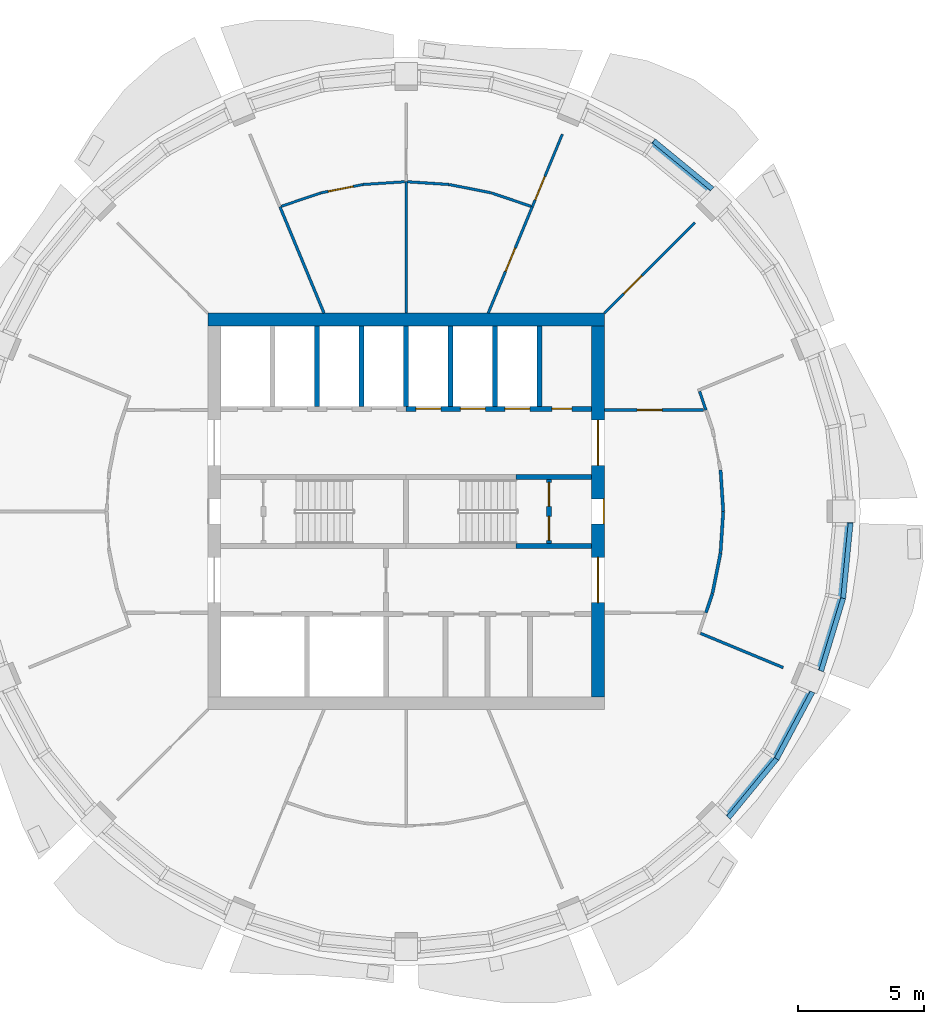
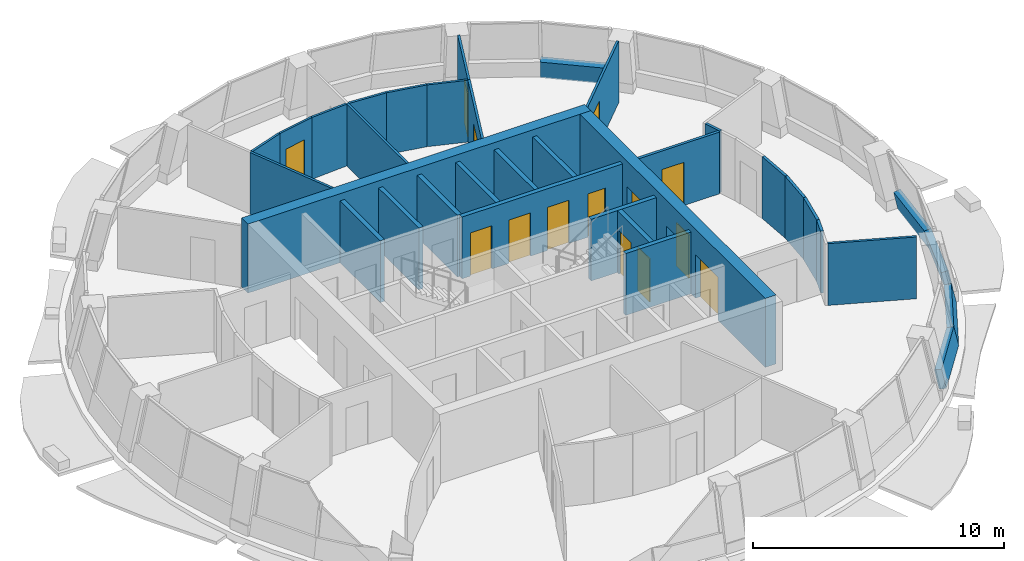
# One storey, part 6 of 11: 35 walls, 14 doors, 14 openings.
"""IFC4 building model written with IfcOpenShell, lengths in metres."""

from ifc_helpers import new_model, si_unit, direction, frame, frame_2d, origin, place, context, subcontext, project, spatial, polyline, rectangle, outline, extrude, material, layer, layer_set, type_object, element, fill, save


model = new_model("IFC4")

# Units and contexts
model_context = context("Model", 3, precision=1e-05, world=origin(), true_north=direction((0.0, 1.0)))
body_context = subcontext(model_context, "Body", "Model", "MODEL_VIEW")
ifc_project = project(units=[si_unit("LENGTHUNIT", "METRE"), si_unit("AREAUNIT", "SQUARE_METRE"), si_unit("VOLUMEUNIT", "CUBIC_METRE"), si_unit("PLANEANGLEUNIT", "RADIAN"), si_unit("MASSUNIT", "GRAM", prefix="KILO")], contexts=[model_context])

# Site, building, storey
site_placement = place(None, origin())
site = spatial("IfcSite", under=ifc_project, at=site_placement, CompositionType="ELEMENT")
building_placement = place(site_placement, origin())
building = spatial("IfcBuilding", under=site, at=building_placement, Name="Polderwave Tower", CompositionType="ELEMENT")
storey_placement = place(building_placement, frame((0.0, 0.0, 194.35009765625)))
storey = spatial("IfcBuildingStorey", under=building, at=storey_placement, Name="L52", CompositionType="ELEMENT", Elevation=194.35009765625)

# Wall
ifc_material_1 = material(Name="Concrete C60/75", Category="concrete")
ifc_layer_1 = layer(ifc_material_1, 0.5)
ifc_layer_set_1 = layer_set([ifc_layer_1], Name="CORE WALL 500 C60/75")
wall_type_1 = type_object("IfcWallType", Name="CORE WALL 500 C60/75", PredefinedType="SHEAR", material=ifc_layer_set_1)
wall_1_placement = place(storey_placement, frame((-7.8740234375, 7.6240234375, 0.0), z_axis=(0.0, 0.0, 1.0), x_axis=(1.0, 0.0, 0.0)))
element("IfcWall", 1, at=wall_1_placement, inside=storey, type_object=wall_type_1, Name="ST-CORE-L52-N", PredefinedType="SHEAR", context=body_context, shape_type="SweptSolid", body=[
    extrude(rectangle(XDim=15.748046875, YDim=0.5, at=frame_2d((7.8740234375, 0.0))), origin(), (0.0, 0.0, 1.0), 3.349853515625),
])

# Wall, openings, doors
wall_2_placement = place(storey_placement, frame((7.6240234375, -7.3740234375, 0.0), z_axis=(0.0, 0.0, 1.0), x_axis=(0.0, 1.0, 0.0)))
wall_2 = element("IfcWall", 2, at=wall_2_placement, inside=storey, type_object=wall_type_1, Name="ST-CORE-L52-E", PredefinedType="SHEAR", context=body_context, shape_type="SweptSolid", body=[
    extrude(rectangle(XDim=14.748046875, YDim=0.5, at=frame_2d((7.3740234375, 0.0))), origin(), (0.0, 0.0, 1.0), 3.349853515625),
])
opening_1_placement = place(wall_2_placement, frame((6.8740234375, 0.0, 0.0)))
opening_1 = element("IfcOpeningElement", 3, at=opening_1_placement, cuts=wall_2, Name="Opening L52-D23", PredefinedType="OPENING", context=body_context, shape_type="SweptSolid", body=[
    extrude(rectangle(XDim=1.0, YDim=2.10009765625, at=frame_2d((0.5, 1.050048828125))), frame((0.0, 0.260009765625, 0.0), z_axis=(0.0, -1.0, 0.0), x_axis=(1.0, 0.0, 0.0)), (0.0, 0.0, 1.0), 0.52001953125),
])
opening_2_placement = place(wall_2_placement, frame((3.74951171875, 0.0, 0.0)))
opening_2 = element("IfcOpeningElement", 4, at=opening_2_placement, cuts=wall_2, Name="Opening L52-D24", PredefinedType="OPENING", context=body_context, shape_type="SweptSolid", body=[
    extrude(rectangle(XDim=1.800048828125, YDim=2.10009765625, at=frame_2d((0.89990234375, 1.050048828125))), frame((0.0, 0.260009765625, 0.0), z_axis=(0.0, -1.0, 0.0), x_axis=(1.0, 0.0, 0.0)), (0.0, 0.0, 1.0), 0.52001953125),
])
opening_3_placement = place(wall_2_placement, frame((9.198486328125, 0.0, 0.0)))
opening_3 = element("IfcOpeningElement", 5, at=opening_3_placement, cuts=wall_2, Name="Opening L52-D25", PredefinedType="OPENING", context=body_context, shape_type="SweptSolid", body=[
    extrude(rectangle(XDim=1.800048828125, YDim=2.10009765625, at=frame_2d((0.89990234375, 1.050048828125))), frame((0.0, 0.260009765625, 0.0), z_axis=(0.0, -1.0, 0.0), x_axis=(1.0, 0.0, 0.0)), (0.0, 0.0, 1.0), 0.52001953125),
])
ifc_material_2 = material(Name="Steel fire door", Category="steel")
door_type_1 = type_object("IfcDoorType", Name="Lobby entry door pair 1800", OperationType="DOUBLE_DOOR_SINGLE_SWING", PredefinedType="DOOR", material=ifc_material_2)
door_1_placement = place(opening_2_placement, frame((1.800048828125, 0.0, 0.0), z_axis=(0.0, 0.0, 1.0), x_axis=(-1.0, 0.0, 0.0)))
door_1 = element("IfcDoor", 6, at=door_1_placement, inside=storey, type_object=door_type_1, Name="South lobby entry door", OperationType="DOUBLE_DOOR_SINGLE_SWING", OverallHeight=2.10009765625, OverallWidth=1.800048828125, PredefinedType="DOOR", context=body_context, shape_type="SweptSolid", body=[
    extrude(rectangle(XDim=1.800048828125, YDim=2.10009765625, at=frame_2d((0.89990234375, 1.050048828125))), frame((0.0, 0.02490234375, 0.0), z_axis=(0.0, -1.0, 0.0), x_axis=(1.0, 0.0, 0.0)), (0.0, 0.0, 1.0), 0.050048828125),
])
fill(opening_2, door_1)
door_2_placement = place(opening_3_placement, frame((1.800048828125, 0.0, 0.0), z_axis=(0.0, 0.0, 1.0), x_axis=(-1.0, 0.0, 0.0)))
door_2 = element("IfcDoor", 7, at=door_2_placement, inside=storey, type_object=door_type_1, Name="North lobby entry door", OperationType="DOUBLE_DOOR_SINGLE_SWING", OverallHeight=2.10009765625, OverallWidth=1.800048828125, PredefinedType="DOOR", context=body_context, shape_type="SweptSolid", body=[
    extrude(rectangle(XDim=1.800048828125, YDim=2.10009765625, at=frame_2d((0.89990234375, 1.050048828125))), frame((0.0, 0.02490234375, 0.0), z_axis=(0.0, -1.0, 0.0), x_axis=(1.0, 0.0, 0.0)), (0.0, 0.0, 1.0), 0.050048828125),
])
fill(opening_3, door_2)
door_type_2 = type_object("IfcDoorType", Name="Stair door 1000", OperationType="NOTDEFINED", PredefinedType="DOOR", material=ifc_material_2)
door_3_placement = place(opening_1_placement, frame((1.0, 0.0, 0.0), z_axis=(0.0, 0.0, 1.0), x_axis=(-1.0, 0.0, 0.0)))
door_3 = element("IfcDoor", 8, at=door_3_placement, inside=storey, type_object=door_type_2, Name="Stair B entry door", OperationType="SINGLE_SWING_LEFT", OverallHeight=2.10009765625, OverallWidth=1.0, PredefinedType="DOOR", context=body_context, shape_type="SweptSolid", body=[
    extrude(rectangle(XDim=1.0, YDim=2.10009765625, at=frame_2d((0.5, 1.050048828125))), frame((0.0, 0.25, 0.0), z_axis=(0.0, -1.0, 0.0), x_axis=(1.0, 0.0, 0.0)), (0.0, 0.0, 1.0), 0.050048828125),
])
fill(opening_1, door_3)

# Walls
ifc_material_3 = material(Name="Concrete C50/60 (board-marked)", Category="concrete")
ifc_layer_2 = layer(ifc_material_3, 0.300048828125)
ifc_layer_set_2 = layer_set([ifc_layer_2], Name="Concrete spandrel upstand C50/60")
wall_type_2 = type_object("IfcWallType", Name="Concrete spandrel upstand C50/60", PredefinedType="SOLIDWALL", material=ifc_layer_set_2)
for number, where, z_axis, x_axis, name in (
    (9, (12.239013671875, 12.87841796875, 0.0), (0.619771818159, 0.755500106736, 0.212373449702), (-0.773135791887, 0.634240527939, -4.761105e-06), "Spandrel L52 3a"),
    (10, (12.87841796875, -12.239013671875, 0.0), (0.755500106736, -0.619771818159, 0.212373449702), (0.634240527939, 0.773135791887, -4.761105e-06), "Spandrel L52 15a"),
):
    element("IfcWall", number, at=place(storey_placement, frame(where, z_axis=z_axis, x_axis=x_axis)), inside=storey, type_object=wall_type_2, Name=name, PredefinedType="SOLIDWALL", context=body_context, shape_type="SweptSolid", body=[
        extrude(outline(polyline([(0.0, 0.0), (3.0362768367621835, 0.0), (3.0172437244918555, 0.9209243016317832), (0.01929049212719335, 0.9208949013655712), (0.0, 0.0)])), origin(), (0.0, 0.0, -1.0), 0.300048828125),
    ])
wall_3_placement = place(storey_placement, frame((14.80419921875, -9.8916015625, 0.0), z_axis=(0.861789394807, -0.460754770514, 0.212188784921), x_axis=(0.471490043987, 0.881871384263, 6.256758e-06)))
element("IfcWall", 11, at=wall_3_placement, inside=storey, type_object=wall_type_2, Name="Spandrel L52 15b", PredefinedType="SOLIDWALL", context=body_context, shape_type="SweptSolid", body=[
    extrude(outline(polyline([(0.0, 0.0), (3.03554549958396, 5.551115123125783e-17), (3.016121787351928, 0.9208524867681933), (0.01923650677477023, 0.9208911097248913), (0.0, 0.0)])), origin(), (0.0, 0.0, -1.0), 0.300048828125),
])
wall_4_placement = place(storey_placement, frame((16.581298828125, -6.37890625, 0.0), z_axis=(0.935106755918, -0.283813796785, 0.212191149183), x_axis=(0.290427135022, 0.95689711006, 1.064503e-06)))
element("IfcWall", 12, at=wall_4_placement, inside=storey, type_object=wall_type_2, Name="Spandrel L52 16a", PredefinedType="SOLIDWALL", context=body_context, shape_type="SweptSolid", body=[
    extrude(outline(polyline([(0.0, 0.0), (3.036390458624818, -2.7755575615628914e-17), (3.0168916459767527, 0.9208689950614573), (0.01927267390959606, 0.9208755679572916), (0.0, 0.0)])), origin(), (0.0, 0.0, -1.0), 0.300048828125),
])
wall_5_placement = place(storey_placement, frame((17.463134765625, -3.473388671875, 0.0), z_axis=(0.97243560254, -0.095859451019, 0.212555791646), x_axis=(0.098101931965, 0.995176371772, -3.531569e-06)))
element("IfcWall", 13, at=wall_5_placement, inside=storey, type_object=wall_type_2, Name="Spandrel L52 16b", PredefinedType="SOLIDWALL", context=body_context, shape_type="SweptSolid", body=[
    extrude(outline(polyline([(0.0, 0.0), (3.0356437454340064, 0.0), (3.0160933667967216, 0.9209578660590205), (0.019220983093998154, 0.920936063603324), (0.0, 0.0)])), origin(), (0.0, 0.0, -1.0), 0.300048828125),
])

# Wall, openings, doors
ifc_material_4 = material(Name="Gypsum board partition")
ifc_layer_3 = layer(ifc_material_4, 0.199951171875)
ifc_layer_set_3 = layer_set([ifc_layer_3], Name="Core room partition 200")
wall_type_3 = type_object("IfcWallType", Name="Core room partition 200", PredefinedType="PARTITIONING", material=ifc_layer_set_3)
wall_6_placement = place(storey_placement, frame((5.674072265625, -1.27490234375, 0.0), z_axis=(0.0, 0.0, 1.0), x_axis=(0.0, 1.0, 0.0)))
wall_6 = element("IfcWall", 14, at=wall_6_placement, inside=storey, type_object=wall_type_3, Name="L52 smoke lobby wall B", PredefinedType="PARTITIONING", context=body_context, shape_type="SweptSolid", body=[
    extrude(rectangle(XDim=2.5498046875, YDim=0.199951171875, at=frame_2d((1.27490234375, 0.0))), origin(), (0.0, 0.0, 1.0), 3.0),
])
opening_4_placement = place(wall_6_placement, frame((0.125, 0.0, 0.0)))
opening_4 = element("IfcOpeningElement", 15, at=opening_4_placement, cuts=wall_6, Name="Opening L52-D12", PredefinedType="OPENING", context=body_context, shape_type="SweptSolid", body=[
    extrude(rectangle(XDim=0.949951171875, YDim=2.10009765625, at=frame_2d((0.47509765625, 1.050048828125))), frame((0.0, 0.10986328125, 0.0), z_axis=(0.0, -1.0, 0.0), x_axis=(1.0, 0.0, 0.0)), (0.0, 0.0, 1.0), 0.219970703125),
])
opening_5_placement = place(wall_6_placement, frame((1.47509765625, 0.0, 0.0)))
opening_5 = element("IfcOpeningElement", 16, at=opening_5_placement, cuts=wall_6, Name="Opening L52-D13", PredefinedType="OPENING", context=body_context, shape_type="SweptSolid", body=[
    extrude(rectangle(XDim=0.949951171875, YDim=2.10009765625, at=frame_2d((0.47509765625, 1.050048828125))), frame((0.0, 0.10986328125, 0.0), z_axis=(0.0, -1.0, 0.0), x_axis=(1.0, 0.0, 0.0)), (0.0, 0.0, 1.0), 0.219970703125),
])
door_type_3 = type_object("IfcDoorType", Name="Smoke lobby door 950", OperationType="NOTDEFINED", PredefinedType="DOOR", material=ifc_material_2)
door_4_placement = place(opening_4_placement, frame((0.949951171875, 0.0, 0.0), z_axis=(0.0, 0.0, 1.0), x_axis=(-1.0, 0.0, 0.0)))
door_4 = element("IfcDoor", 17, at=door_4_placement, inside=storey, type_object=door_type_3, Name="Stair B smoke lobby inner door", OperationType="SINGLE_SWING_RIGHT", OverallHeight=2.10009765625, OverallWidth=0.949951171875, PredefinedType="DOOR", context=body_context, shape_type="SweptSolid", body=[
    extrude(rectangle(XDim=0.949951171875, YDim=2.10009765625, at=frame_2d((0.47509765625, 1.050048828125))), frame((0.0, 0.02490234375, 0.0), z_axis=(0.0, -1.0, 0.0), x_axis=(1.0, 0.0, 0.0)), (0.0, 0.0, 1.0), 0.050048828125),
])
fill(opening_4, door_4)
door_5_placement = place(opening_5_placement, frame((0.949951171875, 0.0, 0.0), z_axis=(0.0, 0.0, 1.0), x_axis=(-1.0, 0.0, 0.0)))
door_5 = element("IfcDoor", 18, at=door_5_placement, inside=storey, type_object=door_type_3, Name="Stair B smoke lobby inner door", OperationType="SINGLE_SWING_LEFT", OverallHeight=2.10009765625, OverallWidth=0.949951171875, PredefinedType="DOOR", context=body_context, shape_type="SweptSolid", body=[
    extrude(rectangle(XDim=0.949951171875, YDim=2.10009765625, at=frame_2d((0.47509765625, 1.050048828125))), frame((0.0, 0.02490234375, 0.0), z_axis=(0.0, -1.0, 0.0), x_axis=(1.0, 0.0, 0.0)), (0.0, 0.0, 1.0), 0.050048828125),
])
fill(opening_5, door_5)

ifc_material_5 = material(Name="Concrete C50/60", Category="concrete")
ifc_layer_4 = layer(ifc_material_5, 0.199951171875)
ifc_layer_set_4 = layer_set([ifc_layer_4], Name="Core web wall 200")
wall_type_4 = type_object("IfcWallType", Name="Core web wall 200", PredefinedType="SHEAR", material=ifc_layer_set_4)
wall_7_placement = place(storey_placement, frame((0.0, 4.073974609375, 0.0), z_axis=(0.0, 0.0, 1.0), x_axis=(1.0, 0.0, 0.0)))
wall_7 = element("IfcWall", 19, at=wall_7_placement, inside=storey, type_object=wall_type_4, Name="L52 north front wall 2", PredefinedType="SHEAR", context=body_context, shape_type="SweptSolid", body=[
    extrude(rectangle(XDim=7.3740234375, YDim=0.199951171875, at=frame_2d((3.68701171875, 0.0))), origin(), (0.0, 0.0, 1.0), 3.0),
])
opening_6_placement = place(wall_7_placement, frame((0.38427734375, 0.0, 0.0)))
opening_6 = element("IfcOpeningElement", 20, at=opening_6_placement, cuts=wall_7, Name="Opening L52-D07", PredefinedType="OPENING", context=body_context, shape_type="SweptSolid", body=[
    extrude(rectangle(XDim=1.0, YDim=2.10009765625, at=frame_2d((0.5, 1.050048828125))), frame((0.0, 0.10986328125, 0.0), z_axis=(0.0, -1.0, 0.0), x_axis=(1.0, 0.0, 0.0)), (0.0, 0.0, 1.0), 0.219970703125),
])
opening_7_placement = place(wall_7_placement, frame((2.15283203125, 0.0, 0.0)))
opening_7 = element("IfcOpeningElement", 21, at=opening_7_placement, cuts=wall_7, Name="Opening L52-D08", PredefinedType="OPENING", context=body_context, shape_type="SweptSolid", body=[
    extrude(rectangle(XDim=1.0, YDim=2.10009765625, at=frame_2d((0.5, 1.050048828125))), frame((0.0, 0.10986328125, 0.0), z_axis=(0.0, -1.0, 0.0), x_axis=(1.0, 0.0, 0.0)), (0.0, 0.0, 1.0), 0.219970703125),
])
opening_8_placement = place(wall_7_placement, frame((3.921142578125, 0.0, 0.0)))
opening_8 = element("IfcOpeningElement", 22, at=opening_8_placement, cuts=wall_7, Name="Opening L52-D09", PredefinedType="OPENING", context=body_context, shape_type="SweptSolid", body=[
    extrude(rectangle(XDim=1.0, YDim=2.10009765625, at=frame_2d((0.5, 1.050048828125))), frame((0.0, 0.10986328125, 0.0), z_axis=(0.0, -1.0, 0.0), x_axis=(1.0, 0.0, 0.0)), (0.0, 0.0, 1.0), 0.219970703125),
])
opening_9_placement = place(wall_7_placement, frame((5.789794921875, 0.0, 0.0)))
opening_9 = element("IfcOpeningElement", 23, at=opening_9_placement, cuts=wall_7, Name="Opening L52-D19", PredefinedType="OPENING", context=body_context, shape_type="SweptSolid", body=[
    extrude(rectangle(XDim=0.800048828125, YDim=2.10009765625, at=frame_2d((0.39990234375, 1.050048828125))), frame((0.0, 0.10986328125, 0.0), z_axis=(0.0, -1.0, 0.0), x_axis=(1.0, 0.0, 0.0)), (0.0, 0.0, 1.0), 0.219970703125),
])
ifc_material_6 = material(Name="Stainless steel", Category="steel")
door_type_4 = type_object("IfcDoorType", Name="Lift landing door 1000", OperationType="DOUBLE_DOOR_SLIDING", PredefinedType="DOOR", material=ifc_material_6)
door_6_placement = place(opening_6_placement, frame((1.0, 0.0, 0.0), z_axis=(0.0, 0.0, 1.0), x_axis=(-1.0, 0.0, 0.0)))
door_6 = element("IfcDoor", 24, at=door_6_placement, inside=storey, type_object=door_type_4, Name="Lift HL5 landing door", OperationType="DOUBLE_DOOR_SLIDING", OverallHeight=2.10009765625, OverallWidth=1.0, PredefinedType="DOOR", context=body_context, shape_type="SweptSolid", body=[
    extrude(rectangle(XDim=1.0, YDim=2.10009765625, at=frame_2d((0.5, 1.050048828125))), frame((0.0, 0.02490234375, 0.0), z_axis=(0.0, -1.0, 0.0), x_axis=(1.0, 0.0, 0.0)), (0.0, 0.0, 1.0), 0.050048828125),
])
fill(opening_6, door_6)
door_7_placement = place(opening_7_placement, frame((1.0, 0.0, 0.0), z_axis=(0.0, 0.0, 1.0), x_axis=(-1.0, 0.0, 0.0)))
door_7 = element("IfcDoor", 25, at=door_7_placement, inside=storey, type_object=door_type_4, Name="Lift HL6 landing door", OperationType="DOUBLE_DOOR_SLIDING", OverallHeight=2.10009765625, OverallWidth=1.0, PredefinedType="DOOR", context=body_context, shape_type="SweptSolid", body=[
    extrude(rectangle(XDim=1.0, YDim=2.10009765625, at=frame_2d((0.5, 1.050048828125))), frame((0.0, 0.02490234375, 0.0), z_axis=(0.0, -1.0, 0.0), x_axis=(1.0, 0.0, 0.0)), (0.0, 0.0, 1.0), 0.050048828125),
])
fill(opening_7, door_7)
door_8_placement = place(opening_8_placement, frame((1.0, 0.0, 0.0), z_axis=(0.0, 0.0, 1.0), x_axis=(-1.0, 0.0, 0.0)))
door_8 = element("IfcDoor", 26, at=door_8_placement, inside=storey, type_object=door_type_4, Name="Lift HL7 landing door", OperationType="DOUBLE_DOOR_SLIDING", OverallHeight=2.10009765625, OverallWidth=1.0, PredefinedType="DOOR", context=body_context, shape_type="SweptSolid", body=[
    extrude(rectangle(XDim=1.0, YDim=2.10009765625, at=frame_2d((0.5, 1.050048828125))), frame((0.0, 0.02490234375, 0.0), z_axis=(0.0, -1.0, 0.0), x_axis=(1.0, 0.0, 0.0)), (0.0, 0.0, 1.0), 0.050048828125),
])
fill(opening_8, door_8)
door_type_5 = type_object("IfcDoorType", Name="Riser door 800", OperationType="NOTDEFINED", PredefinedType="DOOR", material=ifc_material_2)
door_9_placement = place(opening_9_placement, frame((0.800048828125, 0.0, 0.0), z_axis=(0.0, 0.0, 1.0), x_axis=(-1.0, 0.0, 0.0)))
door_9 = element("IfcDoor", 27, at=door_9_placement, inside=storey, type_object=door_type_5, Name="Riser door", OperationType="SINGLE_SWING_LEFT", OverallHeight=2.10009765625, OverallWidth=0.800048828125, PredefinedType="DOOR", context=body_context, shape_type="SweptSolid", body=[
    extrude(rectangle(XDim=0.800048828125, YDim=2.10009765625, at=frame_2d((0.39990234375, 1.050048828125))), frame((0.0, 0.02490234375, 0.0), z_axis=(0.0, -1.0, 0.0), x_axis=(1.0, 0.0, 0.0)), (0.0, 0.0, 1.0), 0.050048828125),
])
fill(opening_9, door_9)

# Walls
for number, where, z_axis, x_axis, name in (
    (28, (4.3740234375, -1.375, 0.0), (0.0, 0.0, 1.0), (1.0, 0.0, 0.0), "L52 south stair wall 4"),
    (29, (4.3740234375, 1.375, 0.0), (0.0, 0.0, 1.0), (1.0, 0.0, 0.0), "L52 north stair wall 4"),
):
    element("IfcWall", number, at=place(storey_placement, frame(where, z_axis=z_axis, x_axis=x_axis)), inside=storey, type_object=wall_type_4, Name=name, PredefinedType="SHEAR", context=body_context, shape_type="SweptSolid", body=[
        extrude(rectangle(XDim=3.0, YDim=0.199951171875, at=frame_2d((1.5, 0.0))), origin(), (0.0, 0.0, 1.0), 3.0),
    ])
ifc_material_7 = material(Name="Fire-resisting board on steel studs", Category="steel")
ifc_layer_5 = layer(ifc_material_7, 0.125)
ifc_layer_set_5 = layer_set([ifc_layer_5], Name="Corridor wall 125 mm EI 60")
wall_type_5 = type_object("IfcWallType", Name="Corridor wall 125 mm EI 60", PredefinedType="PARTITIONING", material=ifc_layer_set_5)
wall_8_placement = place(storey_placement, frame((12.16943359375, -3.264892578125, 0.0), z_axis=(0.0, 0.0, 1.0), x_axis=(-0.321427947704, -0.946934039115, 0.0)))
element("IfcWall", 30, at=wall_8_placement, inside=storey, type_object=wall_type_5, Name="IN-L52-W002", PredefinedType="PARTITIONING", context=body_context, shape_type="SweptSolid", body=[
    extrude(rectangle(XDim=0.802001953125, YDim=0.125, at=frame_2d((0.40087890625, 0.0))), origin(), (0.0, 0.0, 1.0), 3.0),
])
wall_9_placement = place(storey_placement, frame((12.491455078125, -1.648681640625, 0.0), z_axis=(0.0, 0.0, 1.0), x_axis=(-0.195171279076, -0.980769173569, 0.0)))
element("IfcWall", 31, at=wall_9_placement, inside=storey, type_object=wall_type_5, Name="IN-L52-W004", PredefinedType="PARTITIONING", context=body_context, shape_type="SweptSolid", body=[
    extrude(rectangle(XDim=1.639892578125, YDim=0.125, at=frame_2d((0.81982421875, 0.0))), origin(), (0.0, 0.0, 1.0), 3.0),
])
for number, where, z_axis, x_axis, name in (
    (32, (12.492431640625, 1.640380859375, 0.0), (0.0, 0.0, 1.0), (0.065362761633, -0.997861568251, 0.0), "IN-L52-W005"),
    (33, (12.599609375, -0.004150390625, 0.0), (0.0, 0.0, 1.0), (-0.065362761633, -0.997861568251, 0.0), "IN-L52-W006"),
):
    element("IfcWall", number, at=place(storey_placement, frame(where, z_axis=z_axis, x_axis=x_axis)), inside=storey, type_object=wall_type_5, Name=name, PredefinedType="PARTITIONING", context=body_context, shape_type="SweptSolid", body=[
        extrude(rectangle(XDim=1.6396484375, YDim=0.125, at=frame_2d((0.81982421875, 0.0))), origin(), (0.0, 0.0, 1.0), 3.0),
    ])

# Wall, opening, door
wall_10_placement = place(storey_placement, frame((7.8740234375, 4.0244140625, 0.0), z_axis=(0.0, 0.0, 1.0), x_axis=(1.0, 0.0, 0.0)))
wall_10 = element("IfcWall", 34, at=wall_10_placement, inside=storey, type_object=wall_type_5, Name="IN-L52-W007", PredefinedType="PARTITIONING", context=body_context, shape_type="SweptSolid", body=[
    extrude(rectangle(XDim=3.9501953125, YDim=0.125, at=frame_2d((1.97509765625, 0.0))), origin(), (0.0, 0.0, 1.0), 3.0),
])
opening_10_placement = place(wall_10_placement, frame((1.300048828125, 0.0, 0.0)))
opening_10 = element("IfcOpeningElement", 35, at=opening_10_placement, cuts=wall_10, Name="Opening L52-D51", PredefinedType="OPENING", context=body_context, shape_type="SweptSolid", body=[
    extrude(rectangle(XDim=1.0, YDim=2.10009765625, at=frame_2d((0.5, 1.050048828125))), frame((0.0, 0.072509765625, 0.0), z_axis=(0.0, -1.0, 0.0), x_axis=(1.0, 0.0, 0.0)), (0.0, 0.0, 1.0), 0.14501953125),
])
ifc_material_8 = material(Name="Timber fire door leaf", Category="wood")
door_type_6 = type_object("IfcDoorType", Name="Fire door FD30S 1000 x 2100", OperationType="NOTDEFINED", PredefinedType="DOOR", material=ifc_material_8)
door_10_placement = place(opening_10_placement, origin())
door_10 = element("IfcDoor", 36, at=door_10_placement, inside=storey, type_object=door_type_6, Name="Door L52-D51", OperationType="SINGLE_SWING_LEFT", OverallHeight=2.10009765625, OverallWidth=1.0, PredefinedType="DOOR", context=body_context, shape_type="SweptSolid", body=[
    extrude(rectangle(XDim=1.0, YDim=2.10009765625, at=frame_2d((0.5, 1.050048828125))), frame((0.0, 0.02490234375, 0.0), z_axis=(0.0, -1.0, 0.0), x_axis=(1.0, 0.0, 0.0)), (0.0, 0.0, 1.0), 0.050048828125),
])
fill(opening_10, door_10)

ifc_material_9 = material(Name="Plasterboard on steel studs", Category="steel")
ifc_layer_6 = layer(ifc_material_9, 0.10009765625)
ifc_layer_set_6 = layer_set([ifc_layer_6], Name="Partition 100 mm plasterboard on steel studs")
wall_type_6 = type_object("IfcWallType", Name="Partition 100 mm plasterboard on steel studs", PredefinedType="PARTITIONING", material=ifc_layer_set_6)
wall_11_placement = place(storey_placement, frame((7.8740234375, 7.8740234375, 0.0), z_axis=(0.0, 0.0, 1.0), x_axis=(0.707106781187, 0.707106781187, 0.0)))
wall_11 = element("IfcWall", 37, at=wall_11_placement, inside=storey, type_object=wall_type_6, Name="IN-L52-W021", PredefinedType="PARTITIONING", context=body_context, shape_type="SweptSolid", body=[
    extrude(rectangle(XDim=5.08447265625, YDim=0.10009765625, at=frame_2d((2.542236328125, 0.0))), origin(), (0.0, 0.0, 1.0), 3.0),
])
opening_11_placement = place(wall_11_placement, frame((1.10009765625, 0.0, 0.0)))
opening_11 = element("IfcOpeningElement", 38, at=opening_11_placement, cuts=wall_11, Name="Opening L52-D57", PredefinedType="OPENING", context=body_context, shape_type="SweptSolid", body=[
    extrude(rectangle(XDim=1.0, YDim=2.10009765625, at=frame_2d((0.5, 1.050048828125))), frame((0.0, 0.06005859375, 0.0), z_axis=(0.0, -1.0, 0.0), x_axis=(1.0, 0.0, 0.0)), (0.0, 0.0, 1.0), 0.1201171875),
])
ifc_material_10 = material(Name="Timber veneer door leaf", Category="wood")
door_type_7 = type_object("IfcDoorType", Name="Single door 1000 x 2100", OperationType="NOTDEFINED", PredefinedType="DOOR", material=ifc_material_10)
door_11_placement = place(opening_11_placement, origin())
door_11 = element("IfcDoor", 39, at=door_11_placement, inside=storey, type_object=door_type_7, Name="Door L52-D57", OperationType="SINGLE_SWING_LEFT", OverallHeight=2.10009765625, OverallWidth=1.0, PredefinedType="DOOR", context=body_context, shape_type="SweptSolid", body=[
    extrude(rectangle(XDim=1.0, YDim=2.10009765625, at=frame_2d((0.5, 1.050048828125))), frame((0.0, 0.02490234375, 0.0), z_axis=(0.0, -1.0, 0.0), x_axis=(1.0, 0.0, 0.0)), (0.0, 0.0, 1.0), 0.050048828125),
])
fill(opening_11, door_11)

wall_12_placement = place(storey_placement, frame((5.01318359375, 12.102783203125, 0.0), z_axis=(0.0, 0.0, 1.0), x_axis=(0.382642053216, 0.923896671231, 0.0)))
wall_12 = element("IfcWall", 40, at=wall_12_placement, inside=storey, type_object=wall_type_6, Name="IN-L52-W023", PredefinedType="PARTITIONING", context=body_context, shape_type="SweptSolid", body=[
    extrude(rectangle(XDim=3.1201171875, YDim=0.10009765625, at=frame_2d((1.56005859375, 0.0))), origin(), (0.0, 0.0, 1.0), 3.0),
])
opening_12_placement = place(wall_12_placement, frame((0.300048828125, 0.0, 0.0)))
opening_12 = element("IfcOpeningElement", 41, at=opening_12_placement, cuts=wall_12, Name="Opening L52-D59", PredefinedType="OPENING", context=body_context, shape_type="SweptSolid", body=[
    extrude(rectangle(XDim=1.0, YDim=2.10009765625, at=frame_2d((0.5, 1.050048828125))), frame((0.0, 0.06005859375, 0.0), z_axis=(0.0, -1.0, 0.0), x_axis=(1.0, 0.0, 0.0)), (0.0, 0.0, 1.0), 0.1201171875),
])
door_12_placement = place(opening_12_placement, origin())
door_12 = element("IfcDoor", 42, at=door_12_placement, inside=storey, type_object=door_type_7, Name="Door L52-D59", OperationType="SINGLE_SWING_LEFT", OverallHeight=2.10009765625, OverallWidth=1.0, PredefinedType="DOOR", context=body_context, shape_type="SweptSolid", body=[
    extrude(rectangle(XDim=1.0, YDim=2.10009765625, at=frame_2d((0.5, 1.050048828125))), frame((0.0, 0.02490234375, 0.0), z_axis=(0.0, -1.0, 0.0), x_axis=(1.0, 0.0, 0.0)), (0.0, 0.0, 1.0), 0.050048828125),
])
fill(opening_12, door_12)

# Wall
wall_13_placement = place(storey_placement, frame((-4.957763671875, 12.12158203125, 0.0), z_axis=(0.0, 0.0, 1.0), x_axis=(0.946924885638, 0.321454912793, 0.0)))
element("IfcWall", 43, at=wall_13_placement, inside=storey, type_object=wall_type_6, Name="IN-L52-W029", PredefinedType="PARTITIONING", context=body_context, shape_type="SweptSolid", body=[
    extrude(rectangle(XDim=1.65185546875, YDim=0.10009765625, at=frame_2d((0.825927734375, 0.0))), origin(), (0.0, 0.0, 1.0), 3.0),
])

# Wall, opening, door
wall_14_placement = place(storey_placement, frame((-1.713134765625, 12.9873046875, 0.0), z_axis=(0.0, 0.0, 1.0), x_axis=(-0.980783695828, -0.195098288043, 0.0)))
wall_14 = element("IfcWall", 44, at=wall_14_placement, inside=storey, type_object=wall_type_6, Name="IN-L52-W030", PredefinedType="PARTITIONING", context=body_context, shape_type="SweptSolid", body=[
    extrude(rectangle(XDim=1.706787109375, YDim=0.10009765625, at=frame_2d((0.853515625, 0.0))), origin(), (0.0, 0.0, 1.0), 3.0),
])
opening_13_placement = place(wall_14_placement, frame((0.39990234375, 0.0, 0.0)))
opening_13 = element("IfcOpeningElement", 45, at=opening_13_placement, cuts=wall_14, Name="Opening L52-D61", PredefinedType="OPENING", context=body_context, shape_type="SweptSolid", body=[
    extrude(rectangle(XDim=1.0, YDim=2.10009765625, at=frame_2d((0.5, 1.050048828125))), frame((0.0, 0.06005859375, 0.0), z_axis=(0.0, -1.0, 0.0), x_axis=(1.0, 0.0, 0.0)), (0.0, 0.0, 1.0), 0.1201171875),
])
door_13_placement = place(opening_13_placement, origin())
door_13 = element("IfcDoor", 46, at=door_13_placement, inside=storey, type_object=door_type_7, Name="Door L52-D61", OperationType="SINGLE_SWING_RIGHT", OverallHeight=2.10009765625, OverallWidth=1.0, PredefinedType="DOOR", context=body_context, shape_type="SweptSolid", body=[
    extrude(rectangle(XDim=1.0, YDim=2.10009765625, at=frame_2d((0.5, 1.050048828125))), frame((0.0, 0.02490234375, 0.0), z_axis=(0.0, -1.0, 0.0), x_axis=(1.0, 0.0, 0.0)), (0.0, 0.0, 1.0), 0.050048828125),
])
fill(opening_13, door_13)

# Wall
wall_15_placement = place(storey_placement, frame((-1.70654296875, 12.988037109375, 0.0), z_axis=(0.0, 0.0, 1.0), x_axis=(0.997860265299, 0.06538265013, 0.0)))
element("IfcWall", 47, at=wall_15_placement, inside=storey, type_object=wall_type_6, Name="IN-L52-W031", PredefinedType="PARTITIONING", context=body_context, shape_type="SweptSolid", body=[
    extrude(rectangle(XDim=1.654052734375, YDim=0.10009765625, at=frame_2d((0.8271484375, 0.0))), origin(), (0.0, 0.0, 1.0), 3.0),
])

# Wall, opening, door
ifc_material_11 = material(Name="Moisture-resistant board on steel studs, tiled", Category="steel")
ifc_layer_7 = layer(ifc_material_11, 0.10498046875)
ifc_layer_set_7 = layer_set([ifc_layer_7], Name="Partition 105 mm wet room board and tile")
wall_type_7 = type_object("IfcWallType", Name="Partition 105 mm wet room board and tile", PredefinedType="PARTITIONING", material=ifc_layer_set_7)
wall_16_placement = place(storey_placement, frame((3.261474609375, 7.8740234375, 0.0), z_axis=(0.0, 0.0, 1.0), x_axis=(0.382701956612, 0.923871859299, 0.0)))
wall_16 = element("IfcWall", 48, at=wall_16_placement, inside=storey, type_object=wall_type_7, Name="IN-L52-W022", PredefinedType="PARTITIONING", context=body_context, shape_type="SweptSolid", body=[
    extrude(rectangle(XDim=4.5771484375, YDim=0.10498046875, at=frame_2d((2.28857421875, 0.0))), origin(), (0.0, 0.0, 1.0), 3.0),
])
opening_14_placement = place(wall_16_placement, frame((1.800048828125, 0.0, 0.0)))
opening_14 = element("IfcOpeningElement", 49, at=opening_14_placement, cuts=wall_16, Name="Opening L52-D58", PredefinedType="OPENING", context=body_context, shape_type="SweptSolid", body=[
    extrude(rectangle(XDim=1.0, YDim=2.10009765625, at=frame_2d((0.5, 1.050048828125))), frame((0.0, 0.0625, 0.0), z_axis=(0.0, -1.0, 0.0), x_axis=(1.0, 0.0, 0.0)), (0.0, 0.0, 1.0), 0.125),
])
door_14_placement = place(opening_14_placement, origin())
door_14 = element("IfcDoor", 50, at=door_14_placement, inside=storey, type_object=door_type_7, Name="Door L52-D58", OperationType="SINGLE_SWING_RIGHT", OverallHeight=2.10009765625, OverallWidth=1.0, PredefinedType="DOOR", context=body_context, shape_type="SweptSolid", body=[
    extrude(rectangle(XDim=1.0, YDim=2.10009765625, at=frame_2d((0.5, 1.050048828125))), frame((0.0, 0.02490234375, 0.0), z_axis=(0.0, -1.0, 0.0), x_axis=(1.0, 0.0, 0.0)), (0.0, 0.0, 1.0), 0.050048828125),
])
fill(opening_14, door_14)

# Walls
wall_17_placement = place(storey_placement, frame((0.055908203125, 13.09619140625, 0.0), z_axis=(0.0, 0.0, 1.0), x_axis=(0.997860265299, -0.06538265013, 0.0)))
element("IfcWall", 51, at=wall_17_placement, inside=storey, type_object=wall_type_7, Name="IN-L52-W024", PredefinedType="PARTITIONING", context=body_context, shape_type="SweptSolid", body=[
    extrude(rectangle(XDim=1.654052734375, YDim=0.10498046875, at=frame_2d((0.8271484375, 0.0))), origin(), (0.0, 0.0, 1.0), 3.0),
])
wall_18_placement = place(storey_placement, frame((1.71337890625, 12.9873046875, 0.0), z_axis=(0.0, 0.0, 1.0), x_axis=(0.980778250333, -0.195125661239, 0.0)))
element("IfcWall", 52, at=wall_18_placement, inside=storey, type_object=wall_type_7, Name="IN-L52-W025", PredefinedType="PARTITIONING", context=body_context, shape_type="SweptSolid", body=[
    extrude(rectangle(XDim=1.70654296875, YDim=0.10498046875, at=frame_2d((0.853271484375, 0.0))), origin(), (0.0, 0.0, 1.0), 3.0),
])
wall_19_placement = place(storey_placement, frame((3.393798828125, 12.652587890625, 0.0), z_axis=(0.0, 0.0, 1.0), x_axis=(0.946912114511, -0.32149253085, 0.0)))
element("IfcWall", 53, at=wall_19_placement, inside=storey, type_object=wall_type_7, Name="IN-L52-W026", PredefinedType="PARTITIONING", context=body_context, shape_type="SweptSolid", body=[
    extrude(rectangle(XDim=1.654052734375, YDim=0.10498046875, at=frame_2d((0.8271484375, 0.0))), origin(), (0.0, 0.0, 1.0), 3.0),
])
wall_20_placement = place(storey_placement, frame((0.0, 7.8740234375, 0.0), z_axis=(0.0, 0.0, 1.0), x_axis=(0.0, 1.0, 0.0)))
element("IfcWall", 54, at=wall_20_placement, inside=storey, type_object=wall_type_7, Name="IN-L52-W027", PredefinedType="PARTITIONING", context=body_context, shape_type="SweptSolid", body=[
    extrude(rectangle(XDim=5.22607421875, YDim=0.10498046875, at=frame_2d((2.613037109375, 0.0))), origin(), (0.0, 0.0, 1.0), 3.0),
])
ifc_material_12 = material(Name="Acoustic double plasterboard on steel studs", Category="steel")
ifc_layer_8 = layer(ifc_material_12, 0.110107421875)
ifc_layer_set_8 = layer_set([ifc_layer_8], Name="Partition 110 mm acoustic double board")
wall_type_8 = type_object("IfcWallType", Name="Partition 110 mm acoustic double board", PredefinedType="PARTITIONING", material=ifc_layer_set_8)
wall_21_placement = place(storey_placement, frame((11.91162109375, 4.0244140625, 0.0), z_axis=(0.0, 0.0, 1.0), x_axis=(-0.321366225339, 0.946954987954, 0.0)))
element("IfcWall", 55, at=wall_21_placement, inside=storey, type_object=wall_type_8, Name="IN-L52-W018", PredefinedType="PARTITIONING", context=body_context, shape_type="SweptSolid", body=[
    extrude(rectangle(XDim=0.783203125, YDim=0.110107421875, at=frame_2d((0.3916015625, 0.0))), origin(), (0.0, 0.0, 1.0), 3.0),
])
wall_22_placement = place(storey_placement, frame((14.9853515625, -6.20703125, 0.0), z_axis=(0.0, 0.0, 1.0), x_axis=(-0.923878125851, 0.382686828325, 0.0)))
element("IfcWall", 56, at=wall_22_placement, inside=storey, type_object=wall_type_8, Name="IN-L52-W020", PredefinedType="PARTITIONING", context=body_context, shape_type="SweptSolid", body=[
    extrude(rectangle(XDim=3.56103515625, YDim=0.110107421875, at=frame_2d((1.780517578125, 0.0))), origin(), (0.0, 0.0, 1.0), 3.0),
])
wall_23_placement = place(storey_placement, frame((-3.261474609375, 7.8740234375, 0.0), z_axis=(0.0, 0.0, 1.0), x_axis=(-0.382701956612, 0.923871859299, 0.0)))
element("IfcWall", 57, at=wall_23_placement, inside=storey, type_object=wall_type_8, Name="IN-L52-W032", PredefinedType="PARTITIONING", context=body_context, shape_type="SweptSolid", body=[
    extrude(rectangle(XDim=4.5771484375, YDim=0.110107421875, at=frame_2d((2.28857421875, 0.0))), origin(), (0.0, 0.0, 1.0), 3.0),
])
ifc_material_13 = material(Name="Gypsum shaft wall system")
ifc_layer_9 = layer(ifc_material_13, 0.199951171875)
ifc_layer_set_9 = layer_set([ifc_layer_9], Name="Shaft wall 200")
wall_type_9 = type_object("IfcWallType", Name="Shaft wall 200", PredefinedType="PARTITIONING", material=ifc_layer_set_9)
for number, where, z_axis, x_axis, name in (
    (58, (-3.537109375, 4.174072265625, 0.0), (0.0, 0.0, 1.0), (0.0, 1.0, 0.0), "L52 lift shaft wall N2"),
    (59, (-1.7685546875, 4.174072265625, 0.0), (0.0, 0.0, 1.0), (0.0, 1.0, 0.0), "L52 lift shaft wall N3"),
    (60, (0.0, 4.174072265625, 0.0), (0.0, 0.0, 1.0), (0.0, 1.0, 0.0), "L52 lift shaft wall N4"),
    (61, (1.7685546875, 4.174072265625, 0.0), (0.0, 0.0, 1.0), (0.0, 1.0, 0.0), "L52 lift shaft wall N5"),
    (62, (3.537109375, 4.174072265625, 0.0), (0.0, 0.0, 1.0), (0.0, 1.0, 0.0), "L52 lift shaft wall N6"),
    (63, (5.305419921875, 4.174072265625, 0.0), (0.0, 0.0, 1.0), (0.0, 1.0, 0.0), "L52 lift shaft wall N7"),
):
    element("IfcWall", number, at=place(storey_placement, frame(where, z_axis=z_axis, x_axis=x_axis)), inside=storey, type_object=wall_type_9, Name=name, PredefinedType="PARTITIONING", context=body_context, shape_type="SweptSolid", body=[
        extrude(rectangle(XDim=3.199951171875, YDim=0.199951171875, at=frame_2d((1.60009765625, 0.0))), origin(), (0.0, 0.0, 1.0), 3.0),
    ])

save(model, "model.ifc")
